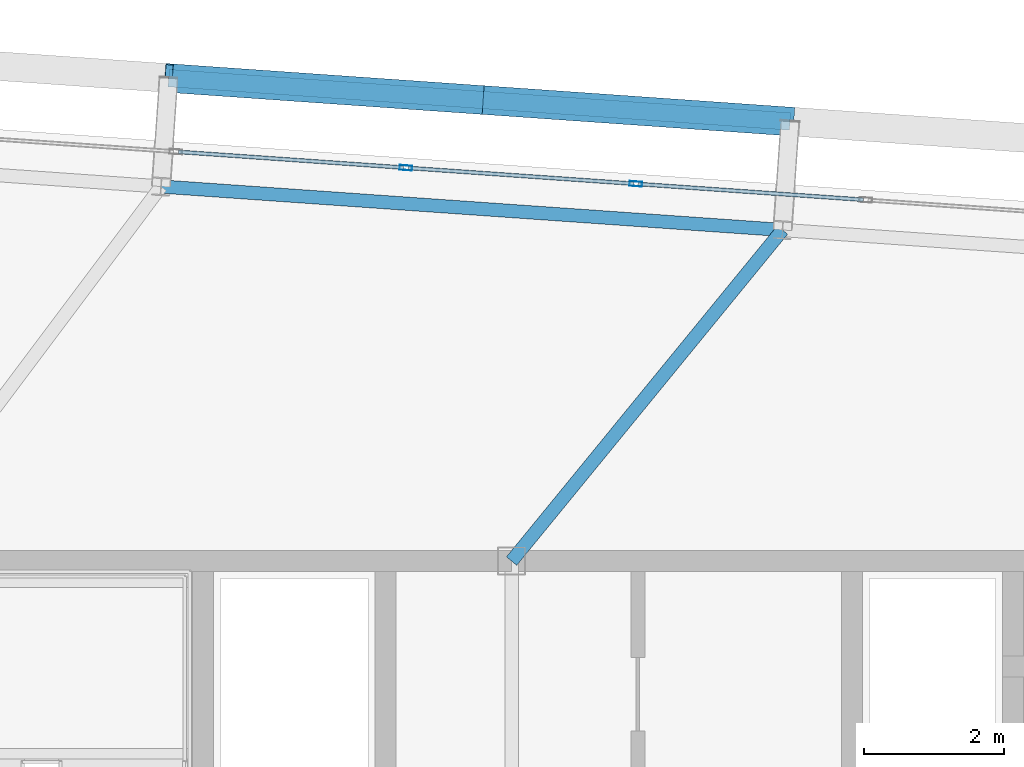
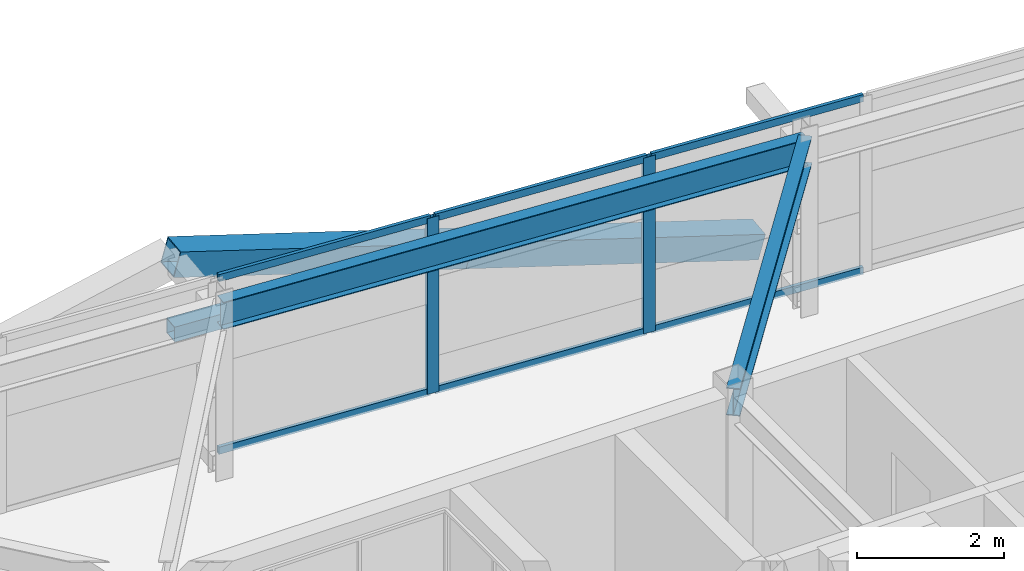
# One storey, part 27 of 47: 11 members, 2 beams, 1 element without a shape of its own.
"""IFC4 building model written with IfcOpenShell, lengths in metres."""

from ifc_helpers import new_model, si_unit, direction, frame, origin, origin_2d, place, context, subcontext, project, spatial, hollow_rectangle, i_section, extrude, source, transform, mapped, material, layer, layer_set, material_profile, profile_set, type_object, element, aggregate, save


model = new_model("IFC4")

# Units and contexts
model_context = context("Model", 3, precision=1e-05, world=origin(), true_north=direction((0.0, 1.0)))
body_context = subcontext(model_context, "Body", "Model", "MODEL_VIEW")
ifc_project = project(units=[si_unit("LENGTHUNIT", "METRE"), si_unit("AREAUNIT", "SQUARE_METRE"), si_unit("VOLUMEUNIT", "CUBIC_METRE"), si_unit("PLANEANGLEUNIT", "RADIAN"), si_unit("MASSUNIT", "GRAM", prefix="KILO")], contexts=[model_context])

# Site, building, storey
site_placement = place(None, origin())
site = spatial("IfcSite", under=ifc_project, at=site_placement, CompositionType="ELEMENT")
building_placement = place(site_placement, origin())
building = spatial("IfcBuilding", under=site, at=building_placement, Name="Taldren Reach Tower", CompositionType="ELEMENT")
storey_placement = place(building_placement, frame((0.0, 0.0, 139.300048828125)))
storey = spatial("IfcBuildingStorey", under=building, at=storey_placement, Name="L42", CompositionType="ELEMENT", Elevation=139.300048828125)

# Beams
ifc_material_1 = material(Name="Steel Gr 350 (350PLUS)", Category="steel")
ifc_material_profile_1 = material_profile(ifc_material_1, i_section(OverallWidth=0.18994140625, OverallDepth=0.4541015625, WebThickness=0.008544921875, FlangeThickness=0.0126953125, at=origin_2d()), Name="460UB67.1")
ifc_profile_set_1 = profile_set([ifc_material_profile_1], Name="Steel Gr 350 (350PLUS)")
beam_type_1 = type_object("IfcBeamType", Name="SP-UB460B", PredefinedType="SPANDREL", material=ifc_profile_set_1)
shared_shape_1 = source(origin(), body_context, "Body", "SweptSolid", [
    extrude(i_section(OverallWidth=0.18994140625, OverallDepth=0.4541015625, WebThickness=0.008544921875, FlangeThickness=0.0126953125, at=origin_2d()), origin(), (0.0, 0.0, 1.0), 8.880126953125),
])
beam_1_placement = place(storey_placement, frame((31.861328125, 36.719970703125, 2.702880859375), z_axis=(-0.997564479639, 0.069750333063, 0.0), x_axis=(-0.069750333063, -0.997564479639, 0.0)))
element("IfcBeam", 1, at=beam_1_placement, inside=storey, type_object=beam_type_1, Name="Perimeter spandrel B3 N3-N2 L42", PredefinedType="SPANDREL", context=body_context, shape_type="MappedRepresentation", body=[
    mapped(shared_shape_1, transform((0.0, 0.0, 0.0), scale=1.0)),
])
ifc_material_profile_2 = material_profile(ifc_material_1, i_section(OverallWidth=0.19091796875, OverallDepth=0.4599609375, WebThickness=0.010009765625, FlangeThickness=0.01611328125, at=origin_2d()), Name="460UB82.1")
ifc_profile_set_2 = profile_set([ifc_material_profile_2], Name="Steel Gr 350 (350PLUS)")
beam_type_2 = type_object("IfcBeamType", Name="BM-UB460A", PredefinedType="BEAM", material=ifc_profile_set_2)
shared_shape_2 = source(origin(), body_context, "Body", "SweptSolid", [
    extrude(i_section(OverallWidth=0.19091796875, OverallDepth=0.4599609375, WebThickness=0.010009765625, FlangeThickness=0.01611328125, at=origin_2d()), origin(), (0.0, 0.0, 1.0), 6.09814453125),
])
beam_2_placement = place(storey_placement, frame((28.0, 32.0, 2.699951171875), z_axis=(0.633192006663, 0.773994756247, 0.0), x_axis=(-0.773994756247, 0.633192006663, 0.0)))
element("IfcBeam", 2, at=beam_2_placement, inside=storey, type_object=beam_type_2, Name="Primary floor girder B3-N3 L42", PredefinedType="BEAM", context=body_context, shape_type="MappedRepresentation", body=[
    mapped(shared_shape_2, transform((0.0, 0.0, 0.0), scale=1.0)),
])

# Members
ifc_material_2 = material(Name="Steel Gr 350 (C350L0)", Category="steel")
ifc_material_profile_3 = material_profile(ifc_material_2, hollow_rectangle(XDim=0.25, YDim=0.25, WallThickness=0.010009765625, at=origin_2d()), Name="250x250x10.0SHS")
ifc_profile_set_3 = profile_set([ifc_material_profile_3], Name="Steel Gr 350 (C350L0)")
member_type_1 = type_object("IfcMemberType", Name="MB-POST250", PredefinedType="POST", material=ifc_profile_set_3)
shared_shape_3 = source(origin(), body_context, "Body", "SweptSolid", [
    extrude(hollow_rectangle(XDim=0.25, YDim=0.25, WallThickness=0.010009765625, at=origin_2d()), origin(), (0.0, 0.0, 1.0), 8.880126953125),
])
member_1_placement = place(storey_placement, frame((23.111083984375, 38.885498046875, 1.43505859375), z_axis=(0.997564479639, -0.069750333063, 0.0), x_axis=(0.069750333063, 0.997564479639, 0.0)))
element("IfcMember", 3, at=member_1_placement, inside=storey, type_object=member_type_1, Name="Exoskeleton mid-height ring chord B3-N2 L42", PredefinedType="POST", context=body_context, shape_type="MappedRepresentation", body=[
    mapped(shared_shape_3, transform((0.0, 0.0, 0.0), scale=1.0)),
])
ifc_material_3 = material(Name="Steel Gr 450 (C450L0)", Category="steel")
ifc_material_profile_4 = material_profile(ifc_material_3, hollow_rectangle(XDim=0.409912109375, YDim=0.409912109375, WallThickness=0.01611328125, at=origin_2d()), Name="410x410x16.0SHS")
ifc_profile_set_4 = profile_set([ifc_material_profile_4], Name="Steel Gr 450 (C450L0)")
member_type_2 = type_object("IfcMemberType", Name="MB-EXO406", PredefinedType="BRACE", material=ifc_profile_set_4)
shared_shape_4 = source(origin(), body_context, "Body", "SweptSolid", [
    extrude(hollow_rectangle(XDim=0.409912109375, YDim=0.409912109375, WallThickness=0.01611328125, at=origin_2d()), origin(), (0.0, 0.0, 1.0), 4.603271484375),
])
for number, where, z_axis, x_axis, name in (
    (4, (31.969482421875, 38.26611328125, 0.219970703125), (-0.962182351074, 0.067302910567, 0.263961060594), (-0.06977769246, -0.997562566276, 0.0), "Exoskeleton Diagrid Brace B3-N2 L42"),
    (5, (27.540283203125, 38.575927734375, 1.43505859375), (-0.962199253371, 0.067251055742, 0.263912660389), (-0.069722973508, -0.997566392259, 0.0), "Exoskeleton Diagrid Brace B3-N2 L42"),
):
    element("IfcMember", number, at=place(storey_placement, frame(where, z_axis=z_axis, x_axis=x_axis)), inside=storey, type_object=member_type_2, Name=name, PredefinedType="BRACE", context=body_context, shape_type="MappedRepresentation", body=[
        mapped(shared_shape_4, transform((0.0, 0.0, 0.0), scale=1.0)),
    ])

# Curtain wall, members
ifc_material_4 = material(Name="Aluminium and Low-E Glass Unitised System", Category="aluminium")
ifc_layer = layer(ifc_material_4, 0.159912109375)
ifc_layer_set = layer_set([ifc_layer], Name="Aluminium and Low-E Glass Unitised System")
curtain_wall_type = type_object("IfcCurtainWallType", Name="CW-SYS-4", PredefinedType="NOTDEFINED", material=ifc_layer_set)
curtain_wall_placement = place(storey_placement, origin())
curtain_wall = element("IfcCurtainWall", 6, at=curtain_wall_placement, inside=storey, type_object=curtain_wall_type, Name="Unitised curtain wall CW-L42-N", PredefinedType="NOTDEFINED")
ifc_material_5 = material(Name="Anodised Aluminium 6063-T6", Category="aluminium")
ifc_material_profile_5 = material_profile(ifc_material_5, hollow_rectangle(XDim=0.070068359375, YDim=0.179931640625, WallThickness=0.00390625, at=origin_2d()), Name="ALU-180x70x4RHS")
ifc_profile_set_5 = profile_set([ifc_material_profile_5], Name="Anodised Aluminium 6063-T6")
member_type_3 = type_object("IfcMemberType", Name="CW-MUL-180", PredefinedType="MULLION", material=ifc_profile_set_5)
shared_shape_5 = source(origin(), body_context, "Body", "SweptSolid", [
    extrude(hollow_rectangle(XDim=0.070068359375, YDim=0.179931640625, WallThickness=0.00390625, at=origin_2d()), origin(), (0.0, 0.0, 1.0), 2.929931640625),
])
member_2_placement = place(storey_placement, frame((29.770751953125, 37.37744140625, 0.0), z_axis=(0.0, 0.0, 1.0), x_axis=(-0.06975651593, -0.99756404731, 0.0)))
member_2 = element("IfcMember", 7, at=member_2_placement, type_object=member_type_3, Name="CW-4 mullion 10", PredefinedType="MULLION", context=body_context, shape_type="MappedRepresentation", body=[
    mapped(shared_shape_5, transform((0.0, 0.0, 0.0), scale=1.0)),
])
member_3_placement = place(storey_placement, frame((26.492919921875, 37.6064453125, 0.0), z_axis=(0.0, 0.0, 1.0), x_axis=(-0.06975651593, -0.99756404731, 0.0)))
member_3 = element("IfcMember", 8, at=member_3_placement, type_object=member_type_3, Name="CW-4 mullion 11", PredefinedType="MULLION", context=body_context, shape_type="MappedRepresentation", body=[
    mapped(shared_shape_5, transform((0.0, 0.0, 0.0), scale=1.0)),
])
ifc_material_profile_6 = material_profile(ifc_material_5, hollow_rectangle(XDim=0.054931640625, YDim=0.1201171875, WallThickness=0.0029296875, at=origin_2d()), Name="ALU-120x55x3RHS")
ifc_profile_set_6 = profile_set([ifc_material_profile_6], Name="Anodised Aluminium 6063-T6")
member_type_4 = type_object("IfcMemberType", Name="CW-TRN-135", PredefinedType="USERDEFINED", material=ifc_profile_set_6)
shared_shape_6 = source(origin(), body_context, "Body", "SweptSolid", [
    extrude(hollow_rectangle(XDim=0.054931640625, YDim=0.1201171875, WallThickness=0.0029296875, at=origin_2d()), origin(), (0.0, 0.0, 1.0), 3.2158203125),
])
member_4_placement = place(storey_placement, frame((29.73583984375, 37.3798828125, 0.02734375), z_axis=(-0.997568476954, 0.069693140171, 0.0), x_axis=(-0.069693140171, -0.997568476954, 0.0)))
member_4 = element("IfcMember", 9, at=member_4_placement, type_object=member_type_4, Name="CW-4 transom 10.1", ObjectType="TRANSOM", PredefinedType="USERDEFINED", context=body_context, shape_type="MappedRepresentation", body=[
    mapped(shared_shape_6, transform((0.0, 0.0, 0.0), scale=1.0)),
])
member_5_placement = place(storey_placement, frame((29.73583984375, 37.3798828125, 2.90234375), z_axis=(-0.997568476954, 0.069693140171, 0.0), x_axis=(-0.069693140171, -0.997568476954, 0.0)))
member_5 = element("IfcMember", 10, at=member_5_placement, type_object=member_type_4, Name="CW-4 transom 10.2", ObjectType="TRANSOM", PredefinedType="USERDEFINED", context=body_context, shape_type="MappedRepresentation", body=[
    mapped(shared_shape_6, transform((0.0, 0.0, 0.0), scale=1.0)),
])
shared_shape_7 = source(origin(), body_context, "Body", "SweptSolid", [
    extrude(hollow_rectangle(XDim=0.054931640625, YDim=0.1201171875, WallThickness=0.0029296875, at=origin_2d()), origin(), (0.0, 0.0, 1.0), 3.215576171875),
])
member_6_placement = place(storey_placement, frame((33.013427734375, 37.150634765625, 0.02734375), z_axis=(-0.997562826405, 0.069773973473, 0.0), x_axis=(-0.069773973473, -0.997562826405, 0.0)))
member_6 = element("IfcMember", 11, at=member_6_placement, type_object=member_type_4, Name="CW-4 transom 9.1", ObjectType="TRANSOM", PredefinedType="USERDEFINED", context=body_context, shape_type="MappedRepresentation", body=[
    mapped(shared_shape_7, transform((0.0, 0.0, 0.0), scale=1.0)),
])
member_7_placement = place(storey_placement, frame((33.013427734375, 37.150634765625, 2.90234375), z_axis=(-0.997562826405, 0.069773973473, 0.0), x_axis=(-0.069773973473, -0.997562826405, 0.0)))
member_7 = element("IfcMember", 12, at=member_7_placement, type_object=member_type_4, Name="CW-4 transom 9.2", ObjectType="TRANSOM", PredefinedType="USERDEFINED", context=body_context, shape_type="MappedRepresentation", body=[
    mapped(shared_shape_7, transform((0.0, 0.0, 0.0), scale=1.0)),
])
member_8_placement = place(storey_placement, frame((26.4580078125, 37.60888671875, 0.02734375), z_axis=(-0.997562826405, 0.069773973473, 0.0), x_axis=(-0.069773973473, -0.997562826405, 0.0)))
member_8 = element("IfcMember", 13, at=member_8_placement, type_object=member_type_4, Name="CW-4 transom 11.1", ObjectType="TRANSOM", PredefinedType="USERDEFINED", context=body_context, shape_type="MappedRepresentation", body=[
    mapped(shared_shape_7, transform((0.0, 0.0, 0.0), scale=1.0)),
])
member_9_placement = place(storey_placement, frame((26.4580078125, 37.60888671875, 2.90234375), z_axis=(-0.997562826405, 0.069773973473, 0.0), x_axis=(-0.069773973473, -0.997562826405, 0.0)))
member_9 = element("IfcMember", 14, at=member_9_placement, type_object=member_type_4, Name="CW-4 transom 11.2", ObjectType="TRANSOM", PredefinedType="USERDEFINED", context=body_context, shape_type="MappedRepresentation", body=[
    mapped(shared_shape_7, transform((0.0, 0.0, 0.0), scale=1.0)),
])
aggregate(curtain_wall, [member_2, member_3, member_6, member_7, member_4, member_5, member_8, member_9])

save(model, "model.ifc")
